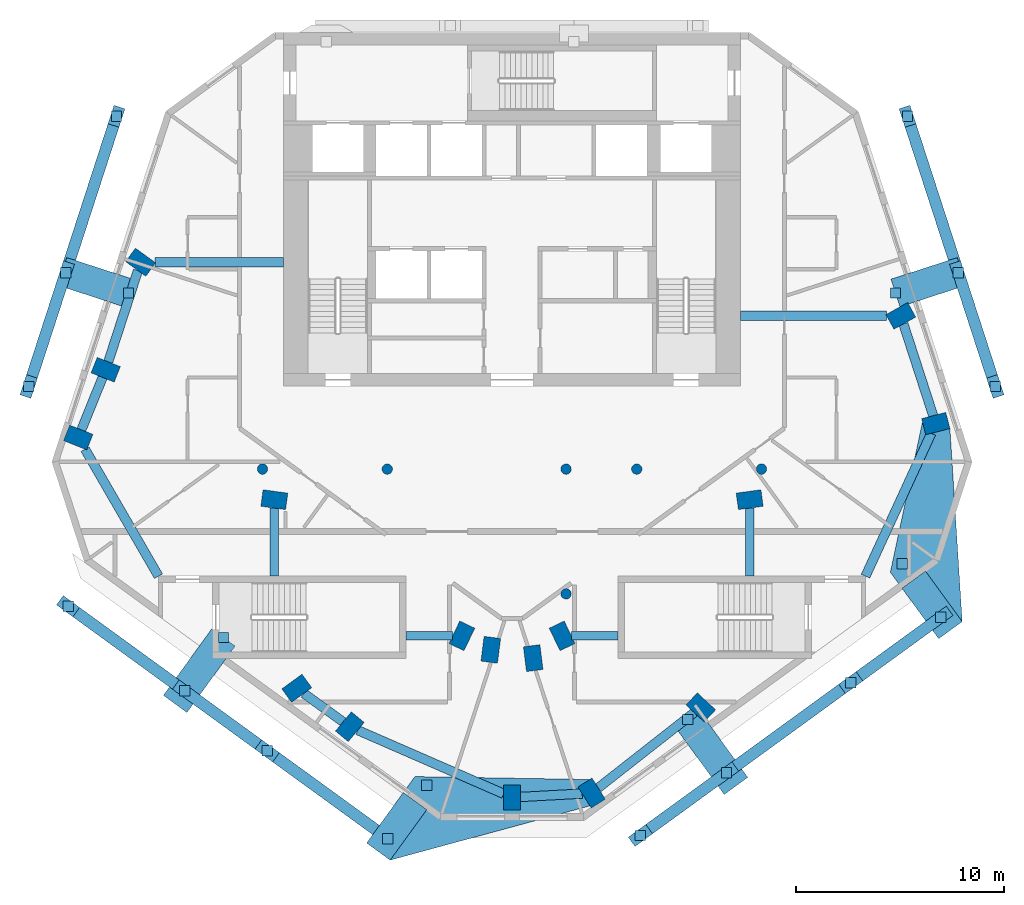
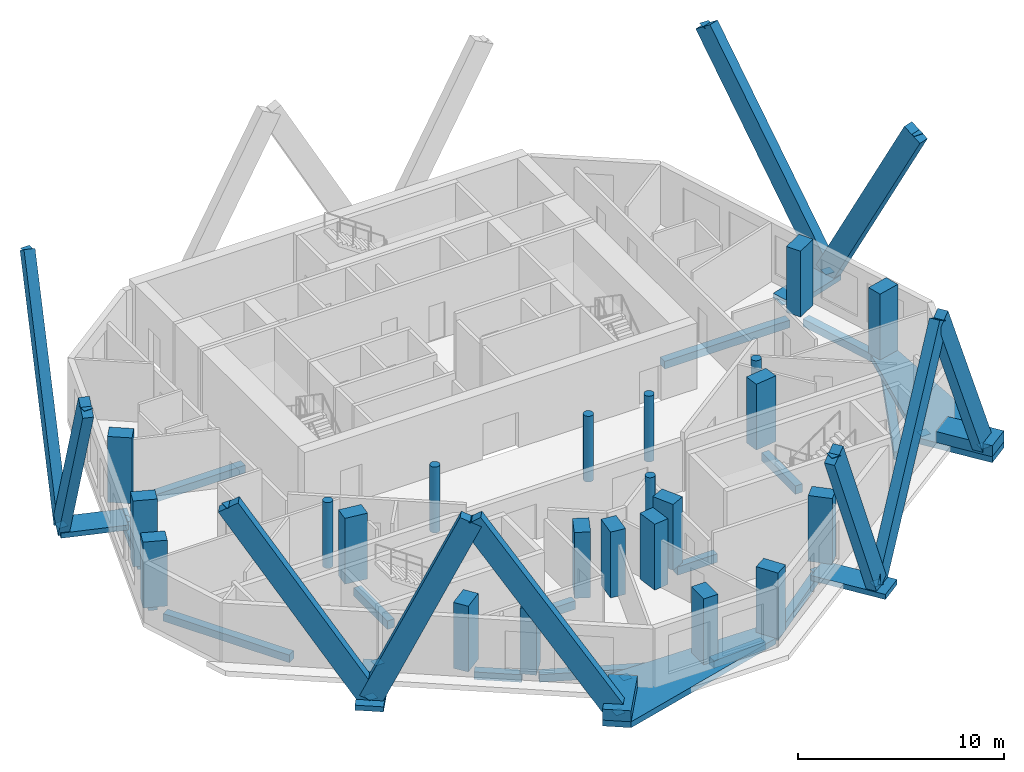
# One storey, part 1 of 8: 22 columns, 20 discrete accessories, 18 members, 15 beams.
"""IFC4 building model written with IfcOpenShell, lengths in metres."""

from ifc_helpers import new_model, si_unit, direction, frame, origin, origin_2d, place, context, subcontext, project, spatial, polyline, rectangle, circle, outline, extrude, material, layer, layer_set, material_profile, profile_set, type_object, element, aggregate, save


model = new_model("IFC4")

# Units and contexts
model_context = context("Model", 3, precision=1e-05, world=origin(), true_north=direction((0.0, 1.0)))
body_context = subcontext(model_context, "Body", "Model", "MODEL_VIEW")
ifc_project = project(units=[si_unit("LENGTHUNIT", "METRE"), si_unit("AREAUNIT", "SQUARE_METRE"), si_unit("VOLUMEUNIT", "CUBIC_METRE"), si_unit("PLANEANGLEUNIT", "RADIAN"), si_unit("MASSUNIT", "GRAM", prefix="KILO")], contexts=[model_context])

# Site, building, storey
site_placement = place(None, origin())
site = spatial("IfcSite", under=ifc_project, at=site_placement, CompositionType="ELEMENT")
building_placement = place(site_placement, origin())
building = spatial("IfcBuilding", under=site, at=building_placement, Name="White Candle Pilgrim Tower", CompositionType="ELEMENT")
storey_placement = place(building_placement, frame((0.0, 0.0, 317.800048828125)))
storey = spatial("IfcBuildingStorey", under=building, at=storey_placement, Name="L75", CompositionType="ELEMENT", Elevation=317.800048828125)

# Columns
ifc_material_1 = material(Name="Concrete C60/75", Category="concrete")
ifc_material_profile_1 = material_profile(ifc_material_1, circle(Radius=0.25, at=origin_2d()), Name="RC-COL D500")
ifc_profile_set_1 = profile_set([ifc_material_profile_1], Name="Concrete C60/75")
column_type_1 = type_object("IfcColumnType", Name="Interior column RC-COL D500 C60/75", PredefinedType="COLUMN", material=ifc_profile_set_1)
for number, where, z_axis, x_axis, name in (
    (1, (58.0, 67.0, 0.0), (0.0, 0.0, 1.0), (1.0, 0.0, 0.0), "L75 column I01"),
    (2, (64.0, 67.0, 0.0), (0.0, 0.0, 1.0), (1.0, 0.0, 0.0), "L75 column I02"),
    (3, (72.60009765625, 61.0, 0.0), (0.0, 0.0, 1.0), (1.0, 0.0, 0.0), "L75 column I03"),
    (4, (72.60009765625, 67.0, 0.0), (0.0, 0.0, 1.0), (1.0, 0.0, 0.0), "L75 column I04"),
    (5, (76.0, 67.0, 0.0), (0.0, 0.0, 1.0), (1.0, 0.0, 0.0), "L75 column I05"),
    (6, (82.0, 67.0, 0.0), (0.0, 0.0, 1.0), (1.0, 0.0, 0.0), "L75 column I06"),
):
    element("IfcColumn", number, at=place(storey_placement, frame(where, z_axis=z_axis, x_axis=x_axis)), inside=storey, type_object=column_type_1, Name=name, PredefinedType="COLUMN", context=body_context, shape_type="SweptSolid", body=[
        extrude(circle(Radius=0.25, at=origin_2d()), origin(), (0.0, 0.0, 1.0), 3.89990234375),
    ])
ifc_material_profile_2 = material_profile(ifc_material_1, rectangle(XDim=0.800048828125, YDim=1.199951171875, at=origin_2d()), Name="RC-PR 800x1200")
ifc_profile_set_2 = profile_set([ifc_material_profile_2], Name="Concrete C60/75")
column_type_2 = type_object("IfcColumnType", Name="Perimeter column RC-PR 800x1200 C60/75", PredefinedType="COLUMN", material=ifc_profile_set_2)
for number, where, z_axis, x_axis, name in (
    (7, (59.64990234375, 56.4599609375, 0.0), (0.0, 0.0, 1.0), (-0.58846280644, 0.808524288711, 0.0), "L75 column T01"),
    (8, (62.199951171875, 54.610107421875, 0.0), (0.0, 0.0, 1.0), (-0.769310358735, 0.638875239733, 0.0), "L75 column T02"),
    (9, (70.0, 51.2099609375, 0.0), (0.0, 0.0, 1.0), (-1.0, 0.0, 0.0), "L75 column T03"),
    (10, (73.830078125, 51.419921875, 0.0), (0.0, 0.0, 1.0), (-0.845317785834, -0.534263830848, 0.0), "L75 column T04"),
    (11, (79.080078125, 55.5400390625, 0.0), (0.0, 0.0, 1.0), (-0.681998360062, -0.731353701619, 0.0), "L75 column T05"),
    (12, (90.3798828125, 69.18994140625, 0.0), (0.0, 0.0, 1.0), (0.246880623275, -0.969045900797, 0.0), "L75 column T06"),
    (13, (88.699951171875, 74.3701171875, 0.0), (0.0, 0.0, 1.0), (0.484809620246, -0.874619707139, 0.0), "L75 column T07"),
    (14, (52.139892578125, 76.949951171875, 0.0), (0.0, 0.0, 1.0), (0.587107285614, 0.809509132239, 0.0), "L75 column T08"),
    (15, (50.4599609375, 71.780029296875, 0.0), (0.0, 0.0, 1.0), (0.369860269472, 0.929087391512, 0.0), "L75 column T09"),
    (16, (49.139892578125, 68.52001953125, 0.0), (0.0, 0.0, 1.0), (0.369860269472, 0.929087391512, 0.0), "L75 column T10"),
):
    element("IfcColumn", number, at=place(storey_placement, frame(where, z_axis=z_axis, x_axis=x_axis)), inside=storey, type_object=column_type_2, Name=name, PredefinedType="COLUMN", context=body_context, shape_type="SweptSolid", body=[
        extrude(rectangle(XDim=0.800048828125, YDim=1.199951171875, at=origin_2d()), origin(), (0.0, 0.0, 1.0), 3.89990234375),
    ])
ifc_material_profile_3 = material_profile(ifc_material_1, rectangle(XDim=0.800048828125, YDim=1.199951171875, at=origin_2d()), Name="RC-PR 800x1200")
ifc_profile_set_3 = profile_set([ifc_material_profile_3], Name="Concrete C60/75")
column_type_3 = type_object("IfcColumnType", Name="Ring column RC-PR 800x1200 C60/75", PredefinedType="COLUMN", material=ifc_profile_set_3)
for number, where, z_axis, x_axis, name in (
    (17, (67.590087890625, 58.97998046875, 0.0), (0.0, 0.0, 1.0), (-0.901689191761, 0.43238478403, 0.0), "L75 column R01"),
    (18, (68.97998046875, 58.31005859375, 0.0), (0.0, 0.0, 1.0), (-0.992092811428, 0.125506388335, 0.0), "L75 column R02"),
    (19, (71.02001953125, 57.909912109375, 0.0), (0.0, 0.0, 1.0), (-0.992092811428, -0.125506388335, 0.0), "L75 column R03"),
    (20, (72.409912109375, 58.97998046875, 0.0), (0.0, 0.0, 1.0), (-0.901689191761, -0.43238478403, 0.0), "L75 column R04"),
    (21, (81.429931640625, 65.530029296875, 0.0), (0.0, 0.0, 1.0), (0.132602381688, -0.991169313675, 0.0), "L75 column R05"),
    (22, (58.570068359375, 65.530029296875, 0.0), (0.0, 0.0, 1.0), (0.132602381688, 0.991169313675, 0.0), "L75 column R06"),
):
    element("IfcColumn", number, at=place(storey_placement, frame(where, z_axis=z_axis, x_axis=x_axis)), inside=storey, type_object=column_type_3, Name=name, PredefinedType="COLUMN", context=body_context, shape_type="SweptSolid", body=[
        extrude(rectangle(XDim=0.800048828125, YDim=1.199951171875, at=origin_2d()), origin(), (0.0, 0.0, 1.0), 3.89990234375),
    ])

# Member
ifc_material_2 = material(Name="Concrete C60/75, white", Category="concrete")
ifc_material_profile_4 = material_profile(ifc_material_2, rectangle(XDim=0.550048828125, YDim=1.14990234375, at=origin_2d()), Name="RC-DG 550x1150")
ifc_profile_set_4 = profile_set([ifc_material_profile_4], Name="Concrete C60/75, white")
member_type_1 = type_object("IfcMemberType", Name="Exoskeleton diagonal RC-DG 550x1150 C60/75", PredefinedType="BRACE", material=ifc_profile_set_4)
member_1_placement = place(storey_placement, frame((91.463623046875, 76.4521484375, 0.0), z_axis=(0.144370910512, -0.444301972199, 0.884167856065), x_axis=(0.951051201162, 0.309033352194, 0.0)))
member_1 = element("IfcMember", 23, at=member_1_placement, inside=storey, type_object=member_type_1, Name="Exoskeleton diagonal EX301", PredefinedType="BRACE", context=body_context, shape_type="SweptSolid", body=[
    extrude(rectangle(XDim=0.550048828125, YDim=1.14990234375, at=origin_2d()), origin(), (0.0, 0.0, 1.0), 12.327880859375),
])

member_2_placement = place(storey_placement, frame((91.463623046875, 76.4521484375, 0.0), z_axis=(-0.181404429754, 0.55828464447, 0.809574387326), x_axis=(-0.95105313549, -0.309027399228, 0.0)))
member_2 = element("IfcMember", 24, at=member_2_placement, inside=storey, type_object=member_type_1, Name="Exoskeleton diagonal EX302", PredefinedType="BRACE", context=body_context, shape_type="SweptSolid", body=[
    extrude(rectangle(XDim=0.550048828125, YDim=1.14990234375, at=origin_2d()), origin(), (0.0, 0.0, 1.0), 13.463623046875),
])

member_3_placement = place(storey_placement, frame((80.31787109375, 52.390869140625, 0.0), z_axis=(-0.343991496575, -0.249904713477, 0.905106338761), x_axis=(0.587754868121, -0.809039068896, 0.0)))
member_3 = element("IfcMember", 25, at=member_3_placement, inside=storey, type_object=member_type_1, Name="Exoskeleton diagonal EX306", PredefinedType="BRACE", context=body_context, shape_type="SweptSolid", body=[
    extrude(rectangle(XDim=0.550048828125, YDim=1.14990234375, at=origin_2d()), origin(), (0.0, 0.0, 1.0), 12.042724609375),
])

member_4_placement = place(storey_placement, frame((80.31787109375, 52.390869140625, 0.0), z_axis=(0.453772134586, 0.329699176696, 0.827882420854), x_axis=(-0.587802082045, 0.809004766576, 0.0)))
member_4 = element("IfcMember", 26, at=member_4_placement, inside=storey, type_object=member_type_1, Name="Exoskeleton diagonal EX307", PredefinedType="BRACE", context=body_context, shape_type="SweptSolid", body=[
    extrude(rectangle(XDim=0.550048828125, YDim=1.14990234375, at=origin_2d()), origin(), (0.0, 0.0, 1.0), 13.166015625),
])

member_5_placement = place(storey_placement, frame((90.62939453125, 59.8828125, 0.0), z_axis=(-0.357057391644, -0.259416816997, 0.897336577953), x_axis=(0.587784417417, -0.809017600947, 0.0)))
member_5 = element("IfcMember", 27, at=member_5_placement, inside=storey, type_object=member_type_1, Name="Exoskeleton diagonal EX308", PredefinedType="BRACE", context=body_context, shape_type="SweptSolid", body=[
    extrude(rectangle(XDim=0.550048828125, YDim=1.14990234375, at=origin_2d()), origin(), (0.0, 0.0, 1.0), 12.14697265625),
])

member_6_placement = place(storey_placement, frame((54.256591796875, 56.332763671875, 0.0), z_axis=(-0.434097181784, 0.315399471957, 0.843849992508), x_axis=(-0.587796728049, -0.809008656625, 0.0)))
member_6 = element("IfcMember", 28, at=member_6_placement, inside=storey, type_object=member_type_1, Name="Exoskeleton diagonal EX312", PredefinedType="BRACE", context=body_context, shape_type="SweptSolid", body=[
    extrude(rectangle(XDim=0.550048828125, YDim=1.14990234375, at=origin_2d()), origin(), (0.0, 0.0, 1.0), 12.9169921875),
])

member_7_placement = place(storey_placement, frame((54.256591796875, 56.332763671875, 0.0), z_axis=(0.332132718598, -0.241307838534, 0.911843398999), x_axis=(0.587784125989, 0.809017812681, 0.0)))
member_7 = element("IfcMember", 29, at=member_7_placement, inside=storey, type_object=member_type_1, Name="Exoskeleton diagonal EX313", PredefinedType="BRACE", context=body_context, shape_type="SweptSolid", body=[
    extrude(rectangle(XDim=0.550048828125, YDim=1.14990234375, at=origin_2d()), origin(), (0.0, 0.0, 1.0), 11.95361328125),
])

member_8_placement = place(storey_placement, frame((64.029052734375, 49.232666015625, 0.0), z_axis=(-0.4446916195, 0.32308719153, 0.835382565185), x_axis=(-0.587785035717, -0.809017151726, 0.0)))
member_8 = element("IfcMember", 30, at=member_8_placement, inside=storey, type_object=member_type_1, Name="Exoskeleton diagonal EX314", PredefinedType="BRACE", context=body_context, shape_type="SweptSolid", body=[
    extrude(rectangle(XDim=0.550048828125, YDim=1.14990234375, at=origin_2d()), origin(), (0.0, 0.0, 1.0), 13.0478515625),
])

member_9_placement = place(storey_placement, frame((48.536376953125, 76.4521484375, 0.0), z_axis=(0.181404429754, 0.55828464447, 0.809574387326), x_axis=(-0.95105313549, 0.309027399228, 0.0)))
member_9 = element("IfcMember", 31, at=member_9_placement, inside=storey, type_object=member_type_1, Name="Exoskeleton diagonal EX317", PredefinedType="BRACE", context=body_context, shape_type="SweptSolid", body=[
    extrude(rectangle(XDim=0.550048828125, YDim=1.14990234375, at=origin_2d()), origin(), (0.0, 0.0, 1.0), 13.463623046875),
])

member_10_placement = place(storey_placement, frame((48.536376953125, 76.4521484375, 0.0), z_axis=(-0.144370910512, -0.444301972199, 0.884167856065), x_axis=(0.951051201162, -0.309033352194, 0.0)))
member_10 = element("IfcMember", 32, at=member_10_placement, inside=storey, type_object=member_type_1, Name="Exoskeleton diagonal EX318", PredefinedType="BRACE", context=body_context, shape_type="SweptSolid", body=[
    extrude(rectangle(XDim=0.550048828125, YDim=1.14990234375, at=origin_2d()), origin(), (0.0, 0.0, 1.0), 12.327880859375),
])

ifc_material_3 = material(Name="Concrete C70/85, white", Category="concrete")
ifc_layer_1 = layer(ifc_material_3, 0.300048828125)
ifc_layer_set_1 = layer_set([ifc_layer_1], Name="Node tie strut 3350x1400x300 C70/85")
member_type_2 = type_object("IfcMemberType", Name="Node tie strut 3350x1400x300 C70/85", PredefinedType="STRUT", material=ifc_layer_set_1)
member_11_placement = place(storey_placement, frame((90.037109375, 75.988525390625, -0.30029296875), z_axis=(0.0, 0.0, 1.0), x_axis=(-0.309016994375, 0.951056516295, 0.0)))
member_11 = element("IfcMember", 33, at=member_11_placement, inside=storey, type_object=member_type_2, Name="Node tie strut NC259", PredefinedType="STRUT", context=body_context, shape_type="SweptSolid", body=[
    extrude(rectangle(XDim=1.39990234375, YDim=3.35009765625, at=origin_2d()), origin(), (0.0, 0.0, 1.0), 0.300048828125),
])

member_12_placement = place(storey_placement, frame((49.962890625, 75.988525390625, -0.30029296875), z_axis=(0.0, 0.0, 1.0), x_axis=(-0.309016994375, -0.951056516295, 0.0)))
member_12 = element("IfcMember", 34, at=member_12_placement, inside=storey, type_object=member_type_2, Name="Node tie strut NC266", PredefinedType="STRUT", context=body_context, shape_type="SweptSolid", body=[
    extrude(rectangle(XDim=1.39990234375, YDim=3.35009765625, at=origin_2d()), origin(), (0.0, 0.0, 1.0), 0.300048828125),
])

ifc_layer_2 = layer(ifc_material_3, 0.300048828125)
ifc_layer_set_2 = layer_set([ifc_layer_2], Name="Node tie strut 3950x1400x300 C70/85")
member_type_3 = type_object("IfcMemberType", Name="Node tie strut 3950x1400x300 C70/85", PredefinedType="STRUT", material=ifc_layer_set_2)
member_13_placement = place(storey_placement, frame((79.6123046875, 53.36181640625, -0.30029296875), z_axis=(0.0, 0.0, 1.0), x_axis=(0.809016994375, 0.587785252292, 0.0)))
member_13 = element("IfcMember", 35, at=member_13_placement, inside=storey, type_object=member_type_3, Name="Node tie strut NC262", PredefinedType="STRUT", context=body_context, shape_type="SweptSolid", body=[
    extrude(rectangle(XDim=1.39990234375, YDim=3.949951171875, at=origin_2d()), origin(), (0.0, 0.0, 1.0), 0.300048828125),
])

member_14_placement = place(storey_placement, frame((0.0, 0.0, -0.35009765625)))
member_14 = element("IfcMember", 36, at=member_14_placement, inside=storey, type_object=member_type_3, Name="Node tie strut NC263", PredefinedType="STRUT", context=body_context, shape_type="SweptSolid", body=[
    extrude(outline(polyline([(90.518798828125, 58.84423828125), (91.6513671875, 59.667236328125), (91.060302734375, 68.950439453125), (89.897216796875, 68.654296875), (89.7412109375, 69.26708984375), (88.197021484375, 62.0400390625), (90.518798828125, 58.84423828125)])), origin(), (0.0, 0.0, 1.0), 0.35009765625),
])

member_15_placement = place(storey_placement, origin())
element("IfcMember", 37, at=member_15_placement, inside=storey, type_object=member_type_3, Name="Node tie strut NC263", PredefinedType="STRUT", context=body_context, shape_type="SweptSolid", body=[
    extrude(outline(polyline([(90.518798828125, 58.84423828125), (91.6513671875, 59.667236328125), (89.887939453125, 62.09423828125), (88.75537109375, 61.271484375), (90.518798828125, 58.84423828125)])), origin(), (0.0, 0.0, 1.0), 0.64990234375),
])

member_16_placement = place(storey_placement, frame((54.962158203125, 57.3037109375, -0.30029296875), z_axis=(0.0, 0.0, 1.0), x_axis=(0.809016994375, -0.587785252292, 0.0)))
member_16 = element("IfcMember", 38, at=member_16_placement, inside=storey, type_object=member_type_3, Name="Node tie strut NC264", PredefinedType="STRUT", context=body_context, shape_type="SweptSolid", body=[
    extrude(rectangle(XDim=1.39990234375, YDim=3.949951171875, at=origin_2d()), origin(), (0.0, 0.0, 1.0), 0.300048828125),
])

member_17_placement = place(storey_placement, frame((0.0, 0.0, -0.35009765625)))
member_17 = element("IfcMember", 39, at=member_17_placement, inside=storey, type_object=member_type_3, Name="Node tie strut NC265", PredefinedType="STRUT", context=body_context, shape_type="SweptSolid", body=[
    extrude(outline(polyline([(64.139892578125, 48.1943359375), (73.746826171875, 50.802734375), (73.17138671875, 51.71337890625), (73.739013671875, 52.072509765625), (65.3291015625, 52.212890625), (63.007080078125, 49.01708984375), (64.139892578125, 48.1943359375)])), origin(), (0.0, 0.0, 1.0), 0.35009765625),
])

member_18_placement = place(storey_placement, origin())
element("IfcMember", 40, at=member_18_placement, inside=storey, type_object=member_type_3, Name="Node tie strut NC265", PredefinedType="STRUT", context=body_context, shape_type="SweptSolid", body=[
    extrude(outline(polyline([(64.139892578125, 48.1943359375), (65.9033203125, 50.621337890625), (64.7705078125, 51.4443359375), (63.007080078125, 49.01708984375), (64.139892578125, 48.1943359375)])), origin(), (0.0, 0.0, 1.0), 0.64990234375),
])

# Beams
ifc_material_4 = material(Name="Concrete C50/60", Category="concrete")
ifc_material_profile_5 = material_profile(ifc_material_4, rectangle(XDim=0.39990234375, YDim=0.5, at=origin_2d()), Name="RC-BM 400x500")
ifc_profile_set_5 = profile_set([ifc_material_profile_5], Name="Concrete C50/60")
beam_type_1 = type_object("IfcBeamType", Name="Ring beam RC-BM 400x500 C50/60", PredefinedType="BEAM", material=ifc_profile_set_5)
beam_1_placement = place(storey_placement, frame((72.853515625, 58.97998046875, -0.550048828125), z_axis=(1.0, 0.0, 0.0), x_axis=(0.0, 1.0, 0.0)))
element("IfcBeam", 41, at=beam_1_placement, inside=storey, type_object=beam_type_1, Name="L75 ring beam R01", PredefinedType="BEAM", context=body_context, shape_type="SweptSolid", body=[
    extrude(rectangle(XDim=0.39990234375, YDim=0.5, at=origin_2d()), origin(), (0.0, 0.0, 1.0), 2.24658203125),
])
for number, where, z_axis, x_axis, name in (
    (42, (81.429931640625, 65.12646484375, -0.550048828125), (0.0, -1.0, 0.0), (1.0, 0.0, 0.0), "L75 ring beam R02"),
    (43, (58.570068359375, 65.12646484375, -0.550048828125), (0.0, -1.0, 0.0), (1.0, 0.0, 0.0), "L75 ring beam R03"),
):
    element("IfcBeam", number, at=place(storey_placement, frame(where, z_axis=z_axis, x_axis=x_axis)), inside=storey, type_object=beam_type_1, Name=name, PredefinedType="BEAM", context=body_context, shape_type="SweptSolid", body=[
        extrude(rectangle(XDim=0.39990234375, YDim=0.5, at=origin_2d()), origin(), (0.0, 0.0, 1.0), 3.2763671875),
    ])
beam_2_placement = place(storey_placement, frame((67.146484375, 58.97998046875, -0.550048828125), z_axis=(-1.0, 0.0, 0.0), x_axis=(0.0, -1.0, 0.0)))
element("IfcBeam", 44, at=beam_2_placement, inside=storey, type_object=beam_type_1, Name="L75 ring beam R04", PredefinedType="BEAM", context=body_context, shape_type="SweptSolid", body=[
    extrude(rectangle(XDim=0.39990234375, YDim=0.5, at=origin_2d()), origin(), (0.0, 0.0, 1.0), 2.24658203125),
])
ifc_material_profile_6 = material_profile(ifc_material_4, rectangle(XDim=0.449951171875, YDim=0.449951171875, at=origin_2d()), Name="RC-BM 450x450")
ifc_profile_set_6 = profile_set([ifc_material_profile_6], Name="Concrete C50/60")
beam_type_2 = type_object("IfcBeamType", Name="Spandrel beam RC-BM 450x450 C50/60", PredefinedType="BEAM", material=ifc_profile_set_6)
beam_3_placement = place(storey_placement, frame((59.990478515625, 56.212890625, -0.525146484375), z_axis=(0.809447251057, -0.58719259852, 0.0), x_axis=(0.58719259852, 0.809447251057, 0.0)))
element("IfcBeam", 45, at=beam_3_placement, inside=storey, type_object=beam_type_2, Name="L75 spandrel beam T01", PredefinedType="BEAM", context=body_context, shape_type="SweptSolid", body=[
    extrude(rectangle(XDim=0.449951171875, YDim=0.449951171875, at=origin_2d()), origin(), (0.0, 0.0, 1.0), 2.328857421875),
])
beam_4_placement = place(storey_placement, frame((62.581787109375, 54.443603515625, -0.525146484375), z_axis=(0.9167046502, -0.399565494382, 0.0), x_axis=(0.399565494382, 0.9167046502, 0.0)))
element("IfcBeam", 46, at=beam_4_placement, inside=storey, type_object=beam_type_2, Name="L75 spandrel beam T02", PredefinedType="BEAM", context=body_context, shape_type="SweptSolid", body=[
    extrude(rectangle(XDim=0.449951171875, YDim=0.449951171875, at=origin_2d()), origin(), (0.0, 0.0, 1.0), 7.656005859375),
])
beam_5_placement = place(storey_placement, frame((70.39990234375, 51.23193359375, -0.525146484375), z_axis=(0.998498713914, 0.054775161443, 0.0), x_axis=(-0.054775161443, 0.998498713914, 0.0)))
element("IfcBeam", 47, at=beam_5_placement, inside=storey, type_object=beam_type_2, Name="L75 spandrel beam T03", PredefinedType="BEAM", context=body_context, shape_type="SweptSolid", body=[
    extrude(rectangle(XDim=0.449951171875, YDim=0.449951171875, at=origin_2d()), origin(), (0.0, 0.0, 1.0), 2.977294921875),
])
beam_6_placement = place(storey_placement, frame((74.146240234375, 51.668212890625, -0.525146484375), z_axis=(0.786684987555, 0.617354622851, 0.0), x_axis=(-0.617354622851, 0.786684987555, 0.0)))
element("IfcBeam", 48, at=beam_6_placement, inside=storey, type_object=beam_type_2, Name="L75 spandrel beam T04", PredefinedType="BEAM", context=body_context, shape_type="SweptSolid", body=[
    extrude(rectangle(XDim=0.449951171875, YDim=0.449951171875, at=origin_2d()), origin(), (0.0, 0.0, 1.0), 5.86669921875),
])
beam_7_placement = place(storey_placement, frame((90.164794921875, 68.722412109375, -0.525146484375), z_axis=(-0.418290677934, -0.908313221721, 0.0), x_axis=(0.908313221721, -0.418290677934, 0.0)))
element("IfcBeam", 49, at=beam_7_placement, inside=storey, type_object=beam_type_2, Name="L75 spandrel beam T05", PredefinedType="BEAM", context=body_context, shape_type="SweptSolid", body=[
    extrude(rectangle(XDim=0.449951171875, YDim=0.449951171875, at=origin_2d()), origin(), (0.0, 0.0, 1.0), 7.56591796875),
])
beam_8_placement = place(storey_placement, frame((90.25634765625, 69.5712890625, -0.525146484375), z_axis=(-0.308509847878, 0.951221148715, 0.0), x_axis=(-0.951221148715, -0.308509847878, 0.0)))
element("IfcBeam", 50, at=beam_8_placement, inside=storey, type_object=beam_type_2, Name="L75 spandrel beam T06", PredefinedType="BEAM", context=body_context, shape_type="SweptSolid", body=[
    extrude(rectangle(XDim=0.449951171875, YDim=0.449951171875, at=origin_2d()), origin(), (0.0, 0.0, 1.0), 4.637451171875),
])
beam_9_placement = place(storey_placement, frame((88.013916015625, 74.3701171875, -0.525146484375), z_axis=(-1.0, 0.0, 0.0), x_axis=(0.0, -1.0, 0.0)))
element("IfcBeam", 51, at=beam_9_placement, inside=storey, type_object=beam_type_2, Name="L75 spandrel beam T07", PredefinedType="BEAM", context=body_context, shape_type="SweptSolid", body=[
    extrude(rectangle(XDim=0.449951171875, YDim=0.449951171875, at=origin_2d()), origin(), (0.0, 0.0, 1.0), 7.013916015625),
])
beam_10_placement = place(storey_placement, frame((52.8212890625, 76.949951171875, -0.525146484375), z_axis=(1.0, 0.0, 0.0), x_axis=(0.0, 1.0, 0.0)))
element("IfcBeam", 52, at=beam_10_placement, inside=storey, type_object=beam_type_2, Name="L75 spandrel beam T08", PredefinedType="BEAM", context=body_context, shape_type="SweptSolid", body=[
    extrude(rectangle(XDim=0.449951171875, YDim=0.449951171875, at=origin_2d()), origin(), (0.0, 0.0, 1.0), 6.1787109375),
])
beam_11_placement = place(storey_placement, frame((52.010009765625, 76.550048828125, -0.525146484375), z_axis=(-0.309013100196, -0.951057781582, 0.0), x_axis=(0.951057781582, -0.309013100196, 0.0)))
element("IfcBeam", 53, at=beam_11_placement, inside=storey, type_object=beam_type_2, Name="L75 spandrel beam T09", PredefinedType="BEAM", context=body_context, shape_type="SweptSolid", body=[
    extrude(rectangle(XDim=0.449951171875, YDim=0.449951171875, at=origin_2d()), origin(), (0.0, 0.0, 1.0), 4.61474609375),
])
beam_12_placement = place(storey_placement, frame((50.309814453125, 71.4091796875, -0.525146484375), z_axis=(-0.375337979494, -0.926888019746, 0.0), x_axis=(0.926888019746, -0.375337979494, 0.0)))
element("IfcBeam", 54, at=beam_12_placement, inside=storey, type_object=beam_type_2, Name="L75 spandrel beam T10", PredefinedType="BEAM", context=body_context, shape_type="SweptSolid", body=[
    extrude(rectangle(XDim=0.449951171875, YDim=0.449951171875, at=origin_2d()), origin(), (0.0, 0.0, 1.0), 2.717041015625),
])
beam_13_placement = place(storey_placement, frame((49.463623046875, 67.960693359375, -0.525146484375), z_axis=(0.500894499263, -0.865508348087, 0.0), x_axis=(0.865508348087, 0.500894499263, 0.0)))
element("IfcBeam", 55, at=beam_13_placement, inside=storey, type_object=beam_type_2, Name="L75 spandrel beam T11", PredefinedType="BEAM", context=body_context, shape_type="SweptSolid", body=[
    extrude(rectangle(XDim=0.449951171875, YDim=0.449951171875, at=origin_2d()), origin(), (0.0, 0.0, 1.0), 7.06005859375),
])

# Discrete accessory
ifc_material_5 = material(Name="Steel S355", Category="steel")
ifc_layer_3 = layer(ifc_material_5, 0.02490234375)
ifc_layer_set_3 = layer_set([ifc_layer_3], Name="Gusset plate 500x500x25 S355")
discrete_accessory_type = type_object("IfcDiscreteAccessoryType", Name="Gusset plate 500x500x25 S355", PredefinedType="BRACKET", material=ifc_layer_set_3)
discrete_accessory_1_placement = place(storey_placement, frame((91.463623046875, 76.4521484375, -0.012451171875), z_axis=(0.0, 0.0, 1.0), x_axis=(1.0, 0.0, 0.0)))
discrete_accessory_1 = element("IfcDiscreteAccessory", 56, at=discrete_accessory_1_placement, type_object=discrete_accessory_type, Name="Gusset plate 0357", PredefinedType="BRACKET", context=body_context, shape_type="SweptSolid", body=[
    extrude(rectangle(XDim=0.5, YDim=0.5, at=origin_2d()), origin(), (0.0, 0.0, 1.0), 0.02490234375),
])

placement = place(building_placement, frame((0.0, 0.0, 328.699951171875)))
discrete_accessory_2_placement = place(placement, frame((93.243408203125, 70.974853515625, -0.012451171875), z_axis=(0.0, 0.0, 1.0), x_axis=(1.0, 0.0, 0.0)))
discrete_accessory_2 = element("IfcDiscreteAccessory", 57, at=discrete_accessory_2_placement, type_object=discrete_accessory_type, Name="Gusset plate 0358", PredefinedType="BRACKET", context=body_context, shape_type="SweptSolid", body=[
    extrude(rectangle(XDim=0.5, YDim=0.5, at=origin_2d()), origin(), (0.0, 0.0, 1.0), 0.02490234375),
])

aggregate(member_1, [discrete_accessory_1, discrete_accessory_2])

discrete_accessory_3_placement = place(placement, frame((89.021240234375, 83.96875, -0.012451171875), z_axis=(0.0, 0.0, 1.0), x_axis=(1.0, 0.0, 0.0)))
discrete_accessory_3 = element("IfcDiscreteAccessory", 58, at=discrete_accessory_3_placement, type_object=discrete_accessory_type, Name="Gusset plate 0359", PredefinedType="BRACKET", context=body_context, shape_type="SweptSolid", body=[
    extrude(rectangle(XDim=0.5, YDim=0.5, at=origin_2d()), origin(), (0.0, 0.0, 1.0), 0.02490234375),
])

aggregate(member_2, [discrete_accessory_3])

discrete_accessory_4_placement = place(storey_placement, frame((80.31787109375, 52.390869140625, -0.012451171875), z_axis=(0.0, 0.0, 1.0), x_axis=(1.0, 0.0, 0.0)))
discrete_accessory_4 = element("IfcDiscreteAccessory", 59, at=discrete_accessory_4_placement, type_object=discrete_accessory_type, Name="Gusset plate 0364", PredefinedType="BRACKET", context=body_context, shape_type="SweptSolid", body=[
    extrude(rectangle(XDim=0.5, YDim=0.5, at=origin_2d()), origin(), (0.0, 0.0, 1.0), 0.02490234375),
])

discrete_accessory_5_placement = place(placement, frame((76.17529296875, 49.38134765625, -0.012451171875), z_axis=(0.0, 0.0, 1.0), x_axis=(1.0, 0.0, 0.0)))
discrete_accessory_5 = element("IfcDiscreteAccessory", 60, at=discrete_accessory_5_placement, type_object=discrete_accessory_type, Name="Gusset plate 0365", PredefinedType="BRACKET", context=body_context, shape_type="SweptSolid", body=[
    extrude(rectangle(XDim=0.5, YDim=0.5, at=origin_2d()), origin(), (0.0, 0.0, 1.0), 0.02490234375),
])

aggregate(member_3, [discrete_accessory_4, discrete_accessory_5])

discrete_accessory_6_placement = place(placement, frame((86.292236328125, 56.731689453125, -0.012451171875), z_axis=(0.0, 0.0, 1.0), x_axis=(1.0, 0.0, 0.0)))
discrete_accessory_6 = element("IfcDiscreteAccessory", 61, at=discrete_accessory_6_placement, type_object=discrete_accessory_type, Name="Gusset plate 0366", PredefinedType="BRACKET", context=body_context, shape_type="SweptSolid", body=[
    extrude(rectangle(XDim=0.5, YDim=0.5, at=origin_2d()), origin(), (0.0, 0.0, 1.0), 0.02490234375),
])

aggregate(member_4, [discrete_accessory_6])

discrete_accessory_7_placement = place(storey_placement, frame((90.62939453125, 59.8828125, -0.012451171875), z_axis=(0.0, 0.0, 1.0), x_axis=(1.0, 0.0, 0.0)))
discrete_accessory_7 = element("IfcDiscreteAccessory", 62, at=discrete_accessory_7_placement, type_object=discrete_accessory_type, Name="Gusset plate 0367", PredefinedType="BRACKET", context=body_context, shape_type="SweptSolid", body=[
    extrude(rectangle(XDim=0.5, YDim=0.5, at=origin_2d()), origin(), (0.0, 0.0, 1.0), 0.02490234375),
])

aggregate(member_5, [discrete_accessory_7])

discrete_accessory_8_placement = place(storey_placement, frame((54.256591796875, 56.332763671875, -0.012451171875), z_axis=(0.0, 0.0, 1.0), x_axis=(1.0, 0.0, 0.0)))
discrete_accessory_8 = element("IfcDiscreteAccessory", 63, at=discrete_accessory_8_placement, type_object=discrete_accessory_type, Name="Gusset plate 0372", PredefinedType="BRACKET", context=body_context, shape_type="SweptSolid", body=[
    extrude(rectangle(XDim=0.5, YDim=0.5, at=origin_2d()), origin(), (0.0, 0.0, 1.0), 0.02490234375),
])

discrete_accessory_9_placement = place(placement, frame((48.6494140625, 60.40673828125, -0.012451171875), z_axis=(0.0, 0.0, 1.0), x_axis=(1.0, 0.0, 0.0)))
discrete_accessory_9 = element("IfcDiscreteAccessory", 64, at=discrete_accessory_9_placement, type_object=discrete_accessory_type, Name="Gusset plate 0373", PredefinedType="BRACKET", context=body_context, shape_type="SweptSolid", body=[
    extrude(rectangle(XDim=0.5, YDim=0.5, at=origin_2d()), origin(), (0.0, 0.0, 1.0), 0.02490234375),
])

aggregate(member_6, [discrete_accessory_8, discrete_accessory_9])

discrete_accessory_10_placement = place(placement, frame((58.226806640625, 53.4482421875, -0.012451171875), z_axis=(0.0, 0.0, 1.0), x_axis=(1.0, 0.0, 0.0)))
discrete_accessory_10 = element("IfcDiscreteAccessory", 65, at=discrete_accessory_10_placement, type_object=discrete_accessory_type, Name="Gusset plate 0374", PredefinedType="BRACKET", context=body_context, shape_type="SweptSolid", body=[
    extrude(rectangle(XDim=0.5, YDim=0.5, at=origin_2d()), origin(), (0.0, 0.0, 1.0), 0.02490234375),
])

aggregate(member_7, [discrete_accessory_10])

discrete_accessory_11_placement = place(storey_placement, frame((64.029052734375, 49.232666015625, -0.012451171875), z_axis=(0.0, 0.0, 1.0), x_axis=(1.0, 0.0, 0.0)))
discrete_accessory_11 = element("IfcDiscreteAccessory", 66, at=discrete_accessory_11_placement, type_object=discrete_accessory_type, Name="Gusset plate 0375", PredefinedType="BRACKET", context=body_context, shape_type="SweptSolid", body=[
    extrude(rectangle(XDim=0.5, YDim=0.5, at=origin_2d()), origin(), (0.0, 0.0, 1.0), 0.02490234375),
])

aggregate(member_8, [discrete_accessory_11])

discrete_accessory_12_placement = place(storey_placement, frame((48.536376953125, 76.4521484375, -0.012451171875), z_axis=(0.0, 0.0, 1.0), x_axis=(1.0, 0.0, 0.0)))
discrete_accessory_12 = element("IfcDiscreteAccessory", 67, at=discrete_accessory_12_placement, type_object=discrete_accessory_type, Name="Gusset plate 0379", PredefinedType="BRACKET", context=body_context, shape_type="SweptSolid", body=[
    extrude(rectangle(XDim=0.5, YDim=0.5, at=origin_2d()), origin(), (0.0, 0.0, 1.0), 0.02490234375),
])

discrete_accessory_13_placement = place(placement, frame((50.978759765625, 83.96875, -0.012451171875), z_axis=(0.0, 0.0, 1.0), x_axis=(1.0, 0.0, 0.0)))
discrete_accessory_13 = element("IfcDiscreteAccessory", 68, at=discrete_accessory_13_placement, type_object=discrete_accessory_type, Name="Gusset plate 0380", PredefinedType="BRACKET", context=body_context, shape_type="SweptSolid", body=[
    extrude(rectangle(XDim=0.5, YDim=0.5, at=origin_2d()), origin(), (0.0, 0.0, 1.0), 0.02490234375),
])

aggregate(member_9, [discrete_accessory_12, discrete_accessory_13])

discrete_accessory_14_placement = place(placement, frame((46.756591796875, 70.974853515625, -0.012451171875), z_axis=(0.0, 0.0, 1.0), x_axis=(1.0, 0.0, 0.0)))
discrete_accessory_14 = element("IfcDiscreteAccessory", 69, at=discrete_accessory_14_placement, type_object=discrete_accessory_type, Name="Gusset plate 0381", PredefinedType="BRACKET", context=body_context, shape_type="SweptSolid", body=[
    extrude(rectangle(XDim=0.5, YDim=0.5, at=origin_2d()), origin(), (0.0, 0.0, 1.0), 0.02490234375),
])

aggregate(member_10, [discrete_accessory_14])

discrete_accessory_15_placement = place(storey_placement, frame((88.444091796875, 75.470947265625, -0.16259765625), z_axis=(0.0, 0.0, 1.0), x_axis=(1.0, 0.0, 0.0)))
discrete_accessory_15 = element("IfcDiscreteAccessory", 70, at=discrete_accessory_15_placement, type_object=discrete_accessory_type, Name="Gusset plate 0640", PredefinedType="BRACKET", context=body_context, shape_type="SweptSolid", body=[
    extrude(rectangle(XDim=0.5, YDim=0.5, at=origin_2d()), origin(), (0.0, 0.0, 1.0), 0.02490234375),
])

aggregate(member_11, [discrete_accessory_15])

discrete_accessory_16_placement = place(storey_placement, frame((78.451416015625, 54.95947265625, -0.16259765625), z_axis=(0.0, 0.0, 1.0), x_axis=(1.0, 0.0, 0.0)))
discrete_accessory_16 = element("IfcDiscreteAccessory", 71, at=discrete_accessory_16_placement, type_object=discrete_accessory_type, Name="Gusset plate 0643", PredefinedType="BRACKET", context=body_context, shape_type="SweptSolid", body=[
    extrude(rectangle(XDim=0.5, YDim=0.5, at=origin_2d()), origin(), (0.0, 0.0, 1.0), 0.02490234375),
])

aggregate(member_13, [discrete_accessory_16])

discrete_accessory_17_placement = place(storey_placement, frame((88.76318359375, 62.451416015625, -0.16259765625), z_axis=(0.0, 0.0, 1.0), x_axis=(1.0, 0.0, 0.0)))
discrete_accessory_17 = element("IfcDiscreteAccessory", 72, at=discrete_accessory_17_placement, type_object=discrete_accessory_type, Name="Gusset plate 0644", PredefinedType="BRACKET", context=body_context, shape_type="SweptSolid", body=[
    extrude(rectangle(XDim=0.5, YDim=0.5, at=origin_2d()), origin(), (0.0, 0.0, 1.0), 0.02490234375),
])

aggregate(member_14, [discrete_accessory_17])

discrete_accessory_18_placement = place(storey_placement, frame((56.123046875, 58.9013671875, -0.16259765625), z_axis=(0.0, 0.0, 1.0), x_axis=(1.0, 0.0, 0.0)))
discrete_accessory_18 = element("IfcDiscreteAccessory", 73, at=discrete_accessory_18_placement, type_object=discrete_accessory_type, Name="Gusset plate 0645", PredefinedType="BRACKET", context=body_context, shape_type="SweptSolid", body=[
    extrude(rectangle(XDim=0.5, YDim=0.5, at=origin_2d()), origin(), (0.0, 0.0, 1.0), 0.02490234375),
])

aggregate(member_16, [discrete_accessory_18])

discrete_accessory_19_placement = place(storey_placement, frame((65.895263671875, 51.801513671875, -0.16259765625), z_axis=(0.0, 0.0, 1.0), x_axis=(1.0, 0.0, 0.0)))
discrete_accessory_19 = element("IfcDiscreteAccessory", 74, at=discrete_accessory_19_placement, type_object=discrete_accessory_type, Name="Gusset plate 0646", PredefinedType="BRACKET", context=body_context, shape_type="SweptSolid", body=[
    extrude(rectangle(XDim=0.5, YDim=0.5, at=origin_2d()), origin(), (0.0, 0.0, 1.0), 0.02490234375),
])

aggregate(member_17, [discrete_accessory_19])

discrete_accessory_20_placement = place(storey_placement, frame((51.555908203125, 75.470947265625, -0.16259765625), z_axis=(0.0, 0.0, 1.0), x_axis=(1.0, 0.0, 0.0)))
discrete_accessory_20 = element("IfcDiscreteAccessory", 75, at=discrete_accessory_20_placement, type_object=discrete_accessory_type, Name="Gusset plate 0647", PredefinedType="BRACKET", context=body_context, shape_type="SweptSolid", body=[
    extrude(rectangle(XDim=0.5, YDim=0.5, at=origin_2d()), origin(), (0.0, 0.0, 1.0), 0.02490234375),
])

aggregate(member_12, [discrete_accessory_20])

save(model, "model.ifc")
